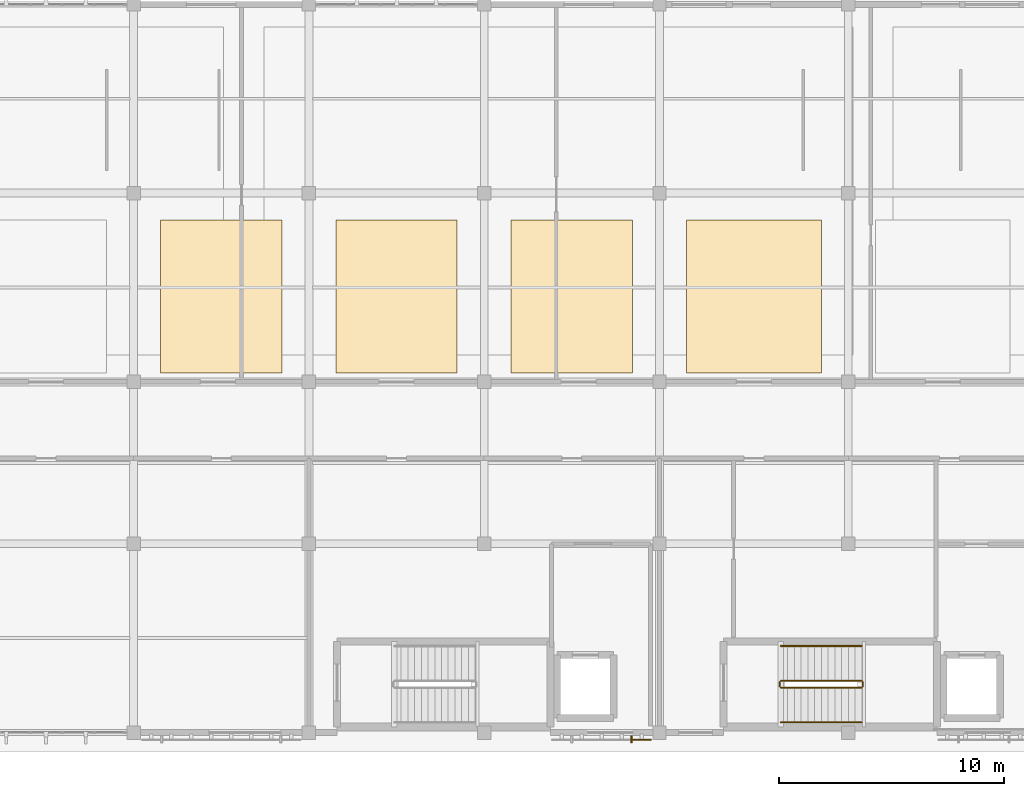
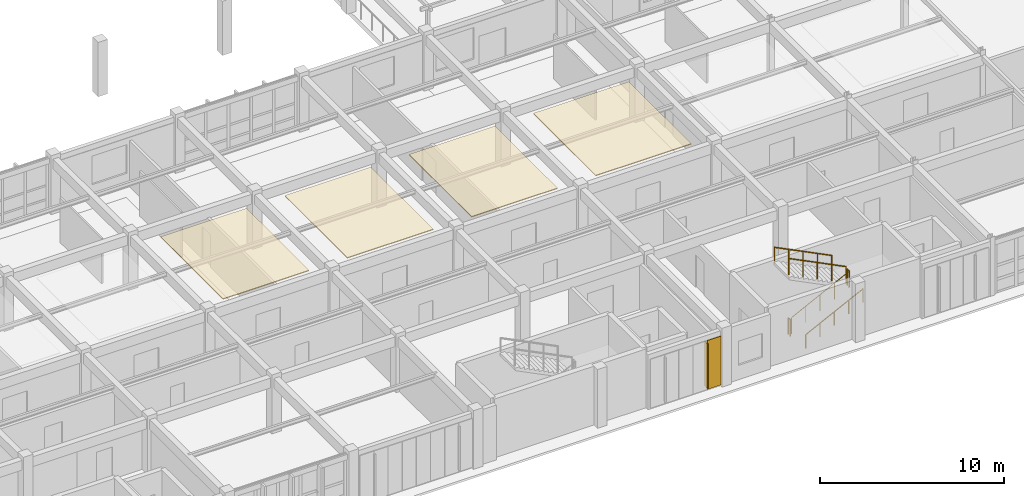
# One storey, part 58 of 67: 6 railings, 5 coverings, 1 shading device.
"""IFC4 building model written with IfcOpenShell, lengths in metres."""

from ifc_helpers import new_model, si_unit, direction, frame, origin, origin_2d, place, context, subcontext, project, spatial, polyline, rectangle, circle, outline, extrude, material, layer, layer_set, type_object, element, save


model = new_model("IFC4")

# Units and contexts
model_context = context("Model", 3, precision=1e-05, world=origin(), true_north=direction((0.0, 1.0)))
body_context = subcontext(model_context, "Body", "Model", "MODEL_VIEW")
ifc_project = project(units=[si_unit("LENGTHUNIT", "METRE"), si_unit("AREAUNIT", "SQUARE_METRE"), si_unit("VOLUMEUNIT", "CUBIC_METRE"), si_unit("PLANEANGLEUNIT", "RADIAN"), si_unit("MASSUNIT", "GRAM", prefix="KILO")], contexts=[model_context])

# Site, building, storey
site_placement = place(None, origin())
site = spatial("IfcSite", under=ifc_project, at=site_placement, CompositionType="ELEMENT")
building_placement = place(site_placement, origin())
building = spatial("IfcBuilding", under=site, at=building_placement, Name="Tizgana Railside Sports Hall", CompositionType="ELEMENT")
storey_placement = place(building_placement, frame((0.0, 0.0, 12.0)))
storey = spatial("IfcBuildingStorey", under=building, at=storey_placement, Name="L02", CompositionType="ELEMENT", Elevation=12.0)

# Shading device
ifc_material_1 = material(Name="Glulam GL28h", Category="wood")
shading_device_type = type_object("IfcShadingDeviceType", Name="Glulam Vertical Brise-Soleil Fin 320", PredefinedType="JALOUSIE", material=ifc_material_1)
shading_device_placement = place(storey_placement, frame((53.35009765625, -0.2939453125, 0.35009765625), z_axis=(0.0, 0.0, 1.0), x_axis=(-1.0, 0.0, 0.0)))
element("IfcShadingDevice", 1, at=shading_device_placement, inside=storey, type_object=shading_device_type, Name="L02 Glulam Fin FIN-0041", PredefinedType="JALOUSIE", context=body_context, shape_type="SweptSolid", body=[
    extrude(rectangle(XDim=0.080078125, YDim=0.320068359375, at=origin_2d()), origin(), (0.0, 0.0, 1.0), 2.93994140625),
])

# Covering
ifc_material_2 = material(Name="Anodised perforated aluminium screen", Category="aluminium")
ifc_layer_1 = layer(ifc_material_2, 0.044921875, Name="Anodised perforated aluminium screen")
ifc_layer_set_1 = layer_set([ifc_layer_1], Name="Anodised perforated aluminium screen")
covering_type_1 = type_object("IfcCoveringType", Name="Perforated Aluminium Hall Screen 900", PredefinedType="CLADDING", material=ifc_layer_set_1)
covering_1_placement = place(storey_placement, frame((53.804931640625, -0.31494140625, 0.2001953125), z_axis=(0.0, 0.0, 1.0), x_axis=(-1.0, 0.0, 0.0)))
element("IfcCovering", 2, at=covering_1_placement, inside=storey, type_object=covering_type_1, Name="L02 Perforated Screen SCR-0570", PredefinedType="CLADDING", context=body_context, shape_type="SweptSolid", body=[
    extrude(rectangle(XDim=0.8720703125, YDim=0.044921875, at=origin_2d()), origin(), (0.0, 0.0, 1.0), 3.239990234375),
])

# Railings
ifc_material_3 = material(Name="Galvanised steel sheet", Category="steel")
railing_type_1 = type_object("IfcRailingType", Name="Safety Balustrade Guard 1100", PredefinedType="BALUSTRADE", material=ifc_material_3)
railing_1_placement = place(storey_placement, frame((60.0, 2.0, 0.14990234375)))
element("IfcRailing", 3, at=railing_1_placement, inside=storey, type_object=railing_type_1, Name="L02 ST-03 stair guard 1", PredefinedType="BALUSTRADE", context=body_context, shape_type="SweptSolid", body=[
    extrude(circle(Radius=0.02392578125, at=origin_2d()), frame((0.0, 0.0, 1.076171875), z_axis=(0.894427191, 0.0, 0.4472135955), x_axis=(0.0, 1.0, 0.0)), (0.0, 0.0, 1.0), 4.025146484375),
    extrude(circle(Radius=0.02099609375, at=origin_2d()), origin(), (0.0, 0.0, 1.0), 1.052001953125),
    extrude(circle(Radius=0.02099609375, at=origin_2d()), frame((0.89990234375, 0.0, 0.449951171875)), (0.0, 0.0, 1.0), 1.052001953125),
    extrude(circle(Radius=0.02099609375, at=origin_2d()), frame((1.800048828125, 0.0, 0.89990234375)), (0.0, 0.0, 1.0), 1.052001953125),
    extrude(circle(Radius=0.02099609375, at=origin_2d()), frame((2.7001953125, 0.0, 1.35009765625)), (0.0, 0.0, 1.0), 1.052001953125),
    extrude(circle(Radius=0.02099609375, at=origin_2d()), frame((3.60009765625, 0.0, 1.800048828125)), (0.0, 0.0, 1.0), 1.052001953125),
])
railing_2_placement = place(storey_placement, frame((63.64990234375, 2.050048828125, 1.949951171875)))
element("IfcRailing", 4, at=railing_2_placement, inside=storey, type_object=railing_type_1, Name="L02 ST-03 stair guard 2", PredefinedType="BALUSTRADE", context=body_context, shape_type="SweptSolid", body=[
    extrude(circle(Radius=0.02392578125, at=origin_2d()), frame((0.0, 0.0, 1.076171875), z_axis=(0.0, 1.0, 0.0), x_axis=(-1.0, 0.0, 0.0)), (0.0, 0.0, 1.0), 0.199951171875),
    extrude(circle(Radius=0.02099609375, at=origin_2d()), origin(), (0.0, 0.0, 1.0), 1.052001953125),
    extrude(circle(Radius=0.02099609375, at=origin_2d()), frame((0.0, 0.199951171875, 0.0)), (0.0, 0.0, 1.0), 1.052001953125),
])
railing_3_placement = place(storey_placement, frame((63.60009765625, 2.300048828125, 2.10009765625)))
element("IfcRailing", 5, at=railing_3_placement, inside=storey, type_object=railing_type_1, Name="L02 ST-03 stair guard 3", PredefinedType="BALUSTRADE", context=body_context, shape_type="SweptSolid", body=[
    extrude(circle(Radius=0.02392578125, at=origin_2d()), frame((0.0, 0.0, 1.076171875), z_axis=(-0.894451452574, 0.0, 0.447165069061), x_axis=(0.0, -1.0, 0.0)), (0.0, 0.0, 1.0), 4.02490234375),
    extrude(circle(Radius=0.02099609375, at=origin_2d()), origin(), (0.0, 0.0, 1.0), 1.052001953125),
    extrude(circle(Radius=0.02099609375, at=origin_2d()), frame((-0.89990234375, 0.0, 0.449951171875)), (0.0, 0.0, 1.0), 1.052001953125),
    extrude(circle(Radius=0.02099609375, at=origin_2d()), frame((-1.800048828125, 0.0, 0.89990234375)), (0.0, 0.0, 1.0), 1.052001953125),
    extrude(circle(Radius=0.02099609375, at=origin_2d()), frame((-2.7001953125, 0.0, 1.349853515625)), (0.0, 0.0, 1.0), 1.052001953125),
    extrude(circle(Radius=0.02099609375, at=origin_2d()), frame((-3.60009765625, 0.0, 1.7998046875)), (0.0, 0.0, 1.0), 1.052001953125),
])
railing_4_placement = place(storey_placement, frame((59.949951171875, 2.050048828125, 0.0)))
element("IfcRailing", 6, at=railing_4_placement, inside=storey, type_object=railing_type_1, Name="L02 ST-03 stair guard 4", PredefinedType="BALUSTRADE", context=body_context, shape_type="SweptSolid", body=[
    extrude(circle(Radius=0.02392578125, at=origin_2d()), frame((0.0, 0.0, 1.076171875), z_axis=(0.0, 1.0, 0.0), x_axis=(-1.0, 0.0, 0.0)), (0.0, 0.0, 1.0), 0.199951171875),
    extrude(circle(Radius=0.02099609375, at=origin_2d()), origin(), (0.0, 0.0, 1.0), 1.052001953125),
    extrude(circle(Radius=0.02099609375, at=origin_2d()), frame((0.0, 0.199951171875, 0.0)), (0.0, 0.0, 1.0), 1.052001953125),
])

# Coverings
ifc_material_4 = material(Name="Acoustic perforated timber", Category="wood")
ifc_layer_2 = layer(ifc_material_4, 0.054931640625, Name="Acoustic perforated timber")
ifc_layer_set_2 = layer_set([ifc_layer_2], Name="Acoustic perforated timber")
covering_type_2 = type_object("IfcCoveringType", Name="Slatted Timber Acoustic Hall Ceiling", PredefinedType="CEILING", material=ifc_layer_set_2)
covering_2_placement = place(storey_placement, frame((0.0, 0.0, 3.60009765625)))
element("IfcCovering", 7, at=covering_2_placement, inside=storey, type_object=covering_type_2, Name="L02 Acoustic Ceiling CLG-0015", PredefinedType="CEILING", context=body_context, shape_type="SweptSolid", body=[
    extrude(outline(polyline([(32.39990234375, 16.0), (37.800048828125, 16.0), (37.800048828125, 22.800048828125), (32.39990234375, 22.800048828125), (32.39990234375, 16.0)])), origin(), (0.0, 0.0, 1.0), 0.054931640625),
])
covering_3_placement = place(storey_placement, frame((0.0, 0.0, 3.60009765625)))
element("IfcCovering", 8, at=covering_3_placement, inside=storey, type_object=covering_type_2, Name="L02 Acoustic Ceiling CLG-0016", PredefinedType="CEILING", context=body_context, shape_type="SweptSolid", body=[
    extrude(outline(polyline([(40.199951171875, 16.0), (45.60009765625, 16.0), (45.60009765625, 22.800048828125), (40.199951171875, 22.800048828125), (40.199951171875, 16.0)])), origin(), (0.0, 0.0, 1.0), 0.054931640625),
])
covering_4_placement = place(storey_placement, frame((0.0, 0.0, 3.60009765625)))
element("IfcCovering", 9, at=covering_4_placement, inside=storey, type_object=covering_type_2, Name="L02 Acoustic Ceiling CLG-0017", PredefinedType="CEILING", context=body_context, shape_type="SweptSolid", body=[
    extrude(outline(polyline([(48.0, 16.0), (53.39990234375, 16.0), (53.39990234375, 22.800048828125), (48.0, 22.800048828125), (48.0, 16.0)])), origin(), (0.0, 0.0, 1.0), 0.054931640625),
])
covering_5_placement = place(storey_placement, frame((0.0, 0.0, 3.60009765625)))
element("IfcCovering", 10, at=covering_5_placement, inside=storey, type_object=covering_type_2, Name="L02 Acoustic Ceiling CLG-0018", PredefinedType="CEILING", context=body_context, shape_type="SweptSolid", body=[
    extrude(outline(polyline([(55.800048828125, 16.0), (61.800048828125, 16.0), (61.800048828125, 22.800048828125), (55.800048828125, 22.800048828125), (55.800048828125, 16.0)])), origin(), (0.0, 0.0, 1.0), 0.054931640625),
])

# Railings
ifc_material_5 = material(Name="Brushed stainless steel", Category="steel")
railing_type_2 = type_object("IfcRailingType", Name="Stair & Ramp Wall Handrail 900", PredefinedType="HANDRAIL", material=ifc_material_5)
railing_5_placement = place(storey_placement, frame((60.0, 0.449951171875, 0.14990234375)))
element("IfcRailing", 11, at=railing_5_placement, inside=storey, type_object=railing_type_2, Name="L02 ST-03 stair handrail 1", PredefinedType="HANDRAIL", context=body_context, shape_type="SweptSolid", body=[
    extrude(circle(Radius=0.02392578125, at=origin_2d()), frame((0.0, 0.0, 0.8759765625), z_axis=(0.894427191, 0.0, 0.4472135955), x_axis=(0.0, 1.0, 0.0)), (0.0, 0.0, 1.0), 4.025146484375),
    extrude(circle(Radius=0.02099609375, at=origin_2d()), origin(), (0.0, 0.0, 1.0), 0.851806640625),
    extrude(circle(Radius=0.02099609375, at=origin_2d()), frame((0.89990234375, 0.0, 0.449951171875)), (0.0, 0.0, 1.0), 0.851806640625),
    extrude(circle(Radius=0.02099609375, at=origin_2d()), frame((1.800048828125, 0.0, 0.89990234375)), (0.0, 0.0, 1.0), 0.851806640625),
    extrude(circle(Radius=0.02099609375, at=origin_2d()), frame((2.7001953125, 0.0, 1.35009765625)), (0.0, 0.0, 1.0), 0.851806640625),
    extrude(circle(Radius=0.02099609375, at=origin_2d()), frame((3.60009765625, 0.0, 1.800048828125)), (0.0, 0.0, 1.0), 0.851806640625),
])
railing_6_placement = place(storey_placement, frame((63.60009765625, 3.85009765625, 2.10009765625)))
element("IfcRailing", 12, at=railing_6_placement, inside=storey, type_object=railing_type_2, Name="L02 ST-03 stair handrail 2", PredefinedType="HANDRAIL", context=body_context, shape_type="SweptSolid", body=[
    extrude(circle(Radius=0.02392578125, at=origin_2d()), frame((0.0, 0.0, 0.8759765625), z_axis=(-0.894451452574, 0.0, 0.447165069061), x_axis=(0.0, -1.0, 0.0)), (0.0, 0.0, 1.0), 4.02490234375),
    extrude(circle(Radius=0.02099609375, at=origin_2d()), origin(), (0.0, 0.0, 1.0), 0.851806640625),
    extrude(circle(Radius=0.02099609375, at=origin_2d()), frame((-0.89990234375, 0.0, 0.449951171875)), (0.0, 0.0, 1.0), 0.851806640625),
    extrude(circle(Radius=0.02099609375, at=origin_2d()), frame((-1.800048828125, 0.0, 0.89990234375)), (0.0, 0.0, 1.0), 0.851806640625),
    extrude(circle(Radius=0.02099609375, at=origin_2d()), frame((-2.7001953125, 0.0, 1.349853515625)), (0.0, 0.0, 1.0), 0.851806640625),
    extrude(circle(Radius=0.02099609375, at=origin_2d()), frame((-3.60009765625, 0.0, 1.7998046875)), (0.0, 0.0, 1.0), 0.851806640625),
])

save(model, "model.ifc")
